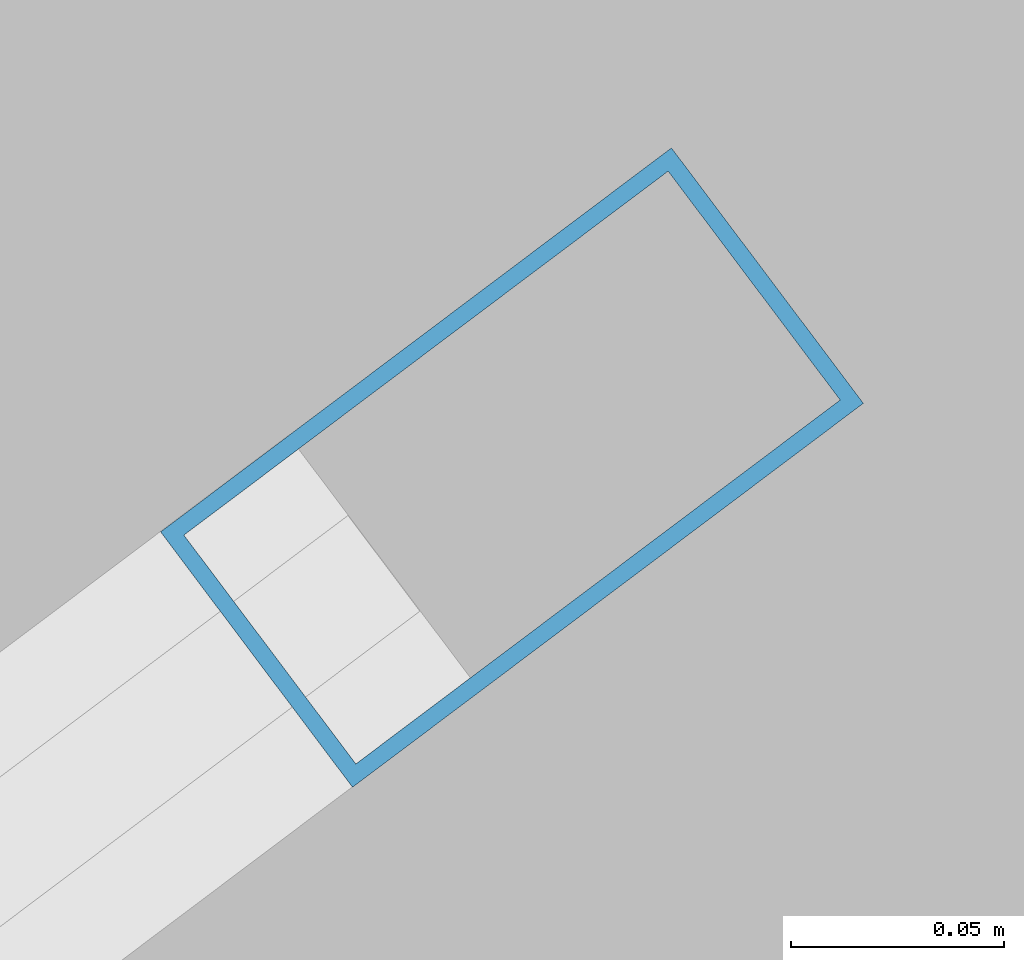
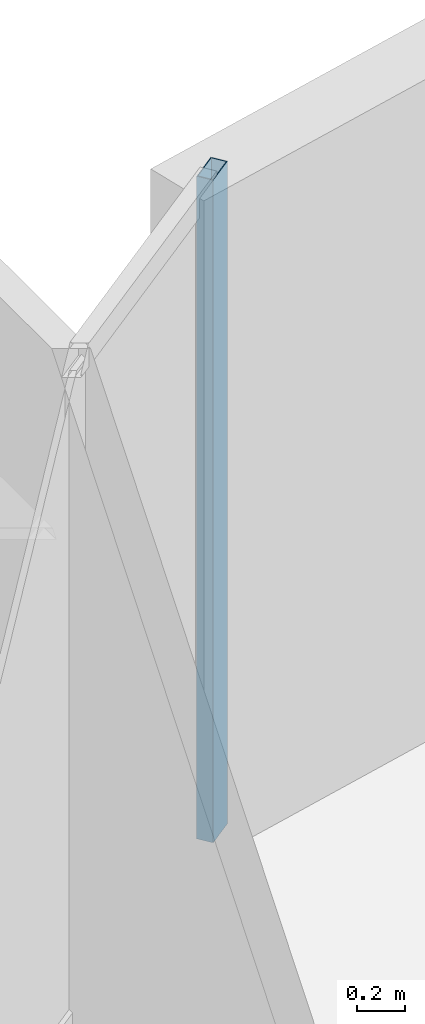
# One storey, part 18 of 30: 1 member, 1 element without a shape of its own.
"""IFC4 building model written with IfcOpenShell, lengths in metres."""

from ifc_helpers import new_model, si_unit, direction, frame, origin, origin_2d, place, context, subcontext, project, spatial, hollow_rectangle, extrude, material, layer, layer_set, material_profile, profile_set, type_object, element, aggregate, save


model = new_model("IFC4")

# Units and contexts
model_context = context("Model", 3, precision=1e-05, world=origin(), true_north=direction((0.0, 1.0)))
body_context = subcontext(model_context, "Body", "Model", "MODEL_VIEW")
ifc_project = project(units=[si_unit("LENGTHUNIT", "METRE"), si_unit("AREAUNIT", "SQUARE_METRE"), si_unit("VOLUMEUNIT", "CUBIC_METRE"), si_unit("PLANEANGLEUNIT", "RADIAN"), si_unit("MASSUNIT", "GRAM", prefix="KILO")], contexts=[model_context])

# Site, building, storey
site_placement = place(None, origin())
site = spatial("IfcSite", under=ifc_project, at=site_placement, CompositionType="ELEMENT")
building_placement = place(site_placement, origin())
building = spatial("IfcBuilding", under=site, at=building_placement, Name="Kazevale Care Tower and Concert Hall", CompositionType="ELEMENT")
storey_placement = place(building_placement, frame((0.0, 0.0, 113.39990234375)))
storey = spatial("IfcBuildingStorey", under=building, at=storey_placement, Name="L29", CompositionType="ELEMENT", Elevation=113.39990234375)

# Curtain wall, member
ifc_material_1 = material(Name="Aluminium 6063-T6 and Low-E Glass", Category="aluminium")
ifc_layer = layer(ifc_material_1, 0.179931640625)
ifc_layer_set = layer_set([ifc_layer], Name="Aluminium 6063-T6 and Low-E Glass")
curtain_wall_type = type_object("IfcCurtainWallType", Name="Convex Recessed Sunroom Curtain Wall CW-3", PredefinedType="NOTDEFINED", material=ifc_layer_set)
curtain_wall_placement = place(storey_placement, origin())
curtain_wall = element("IfcCurtainWall", 1, at=curtain_wall_placement, inside=storey, type_object=curtain_wall_type, Name="cw:L29:f14", PredefinedType="NOTDEFINED")
ifc_material_2 = material(Name="Aluminium 6063-T6", Category="aluminium")
ifc_material_profile = material_profile(ifc_material_2, hollow_rectangle(XDim=0.074951171875, YDim=0.14990234375, WallThickness=0.00390625, at=origin_2d()), Name="ALU75x150x4")
ifc_profile_set = profile_set([ifc_material_profile], Name="Aluminium 6063-T6")
member_type = type_object("IfcMemberType", Name="CW-3 Mullion ALU75x150x4", PredefinedType="MULLION", material=ifc_profile_set)
member_placement = place(storey_placement, frame((29.157958984375, 59.136474609375, 0.0), z_axis=(0.0, 0.0, 1.0), x_axis=(-0.600797902474, 0.799400950952, 0.0)))
member = element("IfcMember", 2, at=member_placement, type_object=member_type, Name="CW-3 mullion 2", PredefinedType="MULLION", context=body_context, shape_type="SweptSolid", body=[
    extrude(hollow_rectangle(XDim=0.074951171875, YDim=0.14990234375, WallThickness=0.00390625, at=origin_2d()), origin(), (0.0, 0.0, 1.0), 3.360107421875),
])
aggregate(curtain_wall, [member])

save(model, "model.ifc")
